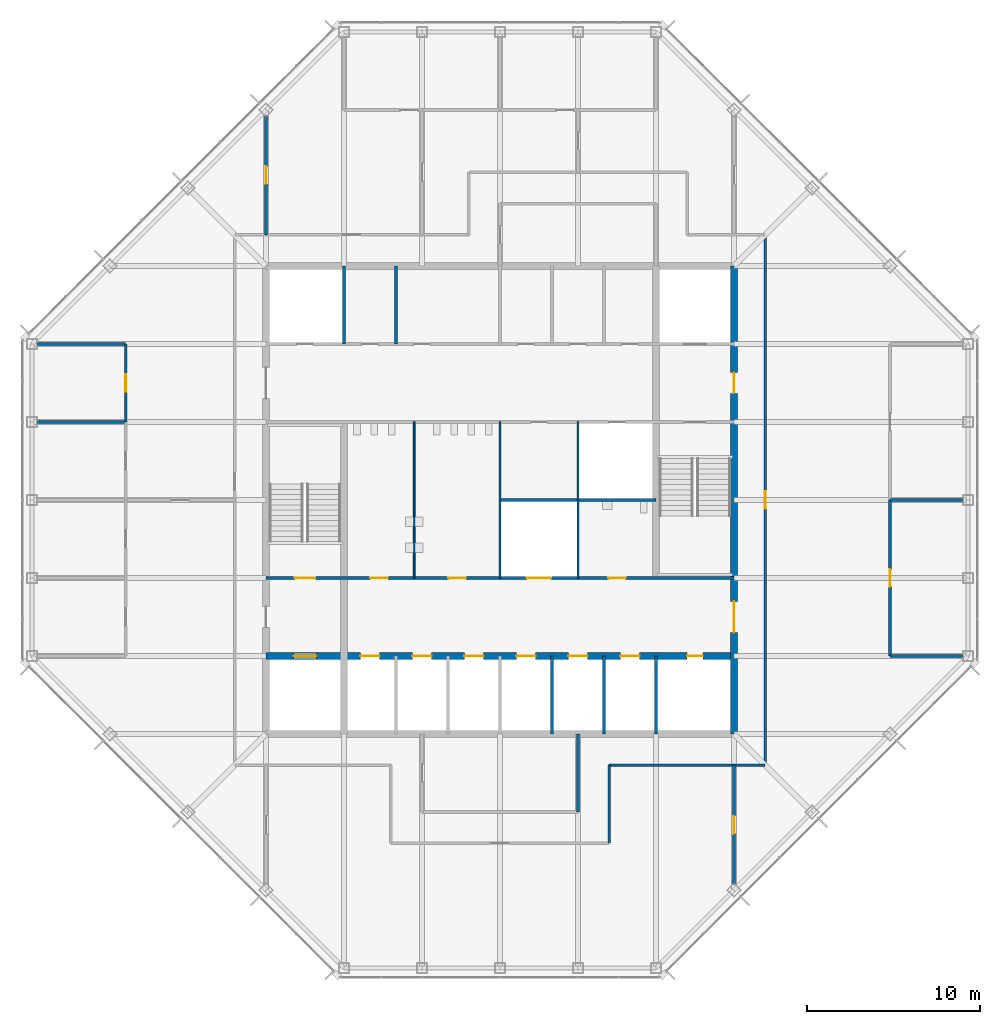
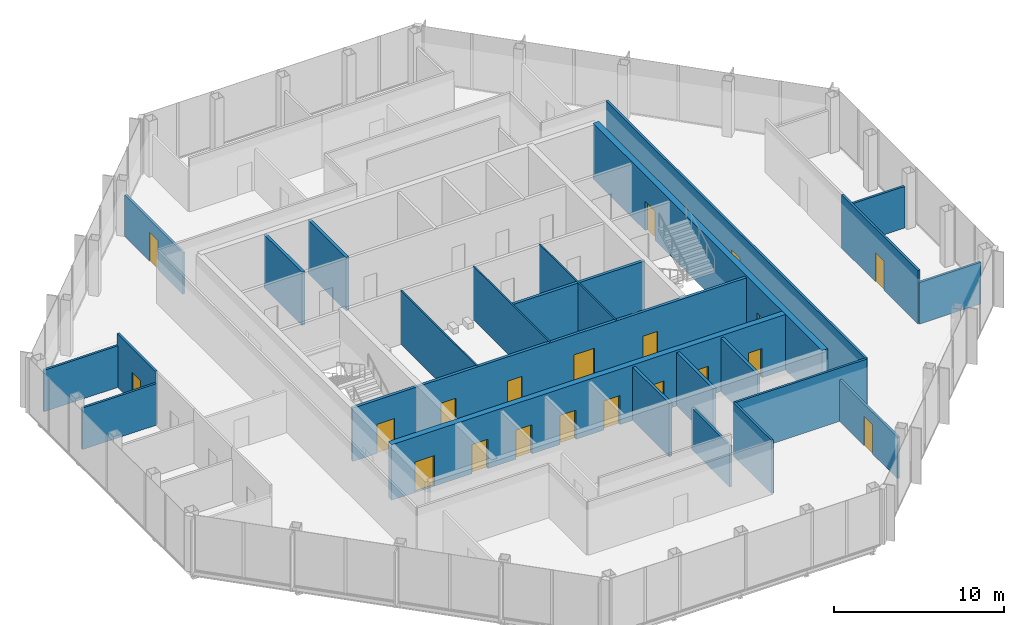
# One storey, part 10 of 14: 24 walls, 20 doors, 20 openings.
"""IFC4 building model written with IfcOpenShell, lengths in metres."""

from ifc_helpers import new_model, si_unit, direction, frame, frame_2d, origin, place, context, subcontext, project, spatial, rectangle, extrude, material, layer, layer_set, type_object, element, fill, save


model = new_model("IFC4")

# Units and contexts
model_context = context("Model", 3, precision=1e-05, world=origin(), true_north=direction((0.0, 1.0)))
body_context = subcontext(model_context, "Body", "Model", "MODEL_VIEW")
ifc_project = project(units=[si_unit("LENGTHUNIT", "METRE"), si_unit("AREAUNIT", "SQUARE_METRE"), si_unit("VOLUMEUNIT", "CUBIC_METRE"), si_unit("PLANEANGLEUNIT", "RADIAN"), si_unit("MASSUNIT", "GRAM", prefix="KILO")], contexts=[model_context])

# Site, building, storey
site_placement = place(None, origin())
site = spatial("IfcSite", under=ifc_project, at=site_placement, CompositionType="ELEMENT")
building_placement = place(site_placement, origin())
building = spatial("IfcBuilding", under=site, at=building_placement, Name="Corais Broadcast Tower", CompositionType="ELEMENT")
storey_placement = place(building_placement, frame((0.0, 0.0, 266.60009765625)))
storey = spatial("IfcBuildingStorey", under=building, at=storey_placement, Name="L62", CompositionType="ELEMENT", Elevation=266.60009765625)

# Walls
ifc_material_1 = material(Name="Concrete blockwork class A, grouted, two-hour", Category="masonry")
ifc_layer_1 = layer(ifc_material_1, 0.199951171875)
ifc_layer_set_1 = layer_set([ifc_layer_1], Name="Concrete blockwork class A, grouted, two-hour")
wall_type_1 = type_object("IfcWallType", Name="Core lobby wall 200", PredefinedType="SOLIDWALL", material=ifc_layer_set_1)
for number, where, z_axis, x_axis, name in (
    (1, (18.0, 36.0, 0.0), (0.0, 0.0, 1.0), (0.0, 1.0, 0.0), "CL3 core shaft wall X18B L62"),
    (2, (36.0, 13.5, 0.0), (0.0, 0.0, 1.0), (0.0, 1.0, 0.0), "CL3 core shaft wall X36A L62"),
):
    element("IfcWall", number, at=place(storey_placement, frame(where, z_axis=z_axis, x_axis=x_axis)), inside=storey, type_object=wall_type_1, Name=name, PredefinedType="SOLIDWALL", context=body_context, shape_type="SweptSolid", body=[
        extrude(rectangle(XDim=4.5, YDim=0.199951171875, at=frame_2d((2.25, 0.0))), origin(), (0.0, 0.0, 1.0), 3.83984375),
    ])

# Wall, openings, doors
wall_1_placement = place(storey_placement, frame((13.5, 22.5, 0.0), z_axis=(0.0, 0.0, 1.0), x_axis=(1.0, 0.0, 0.0)))
wall_1 = element("IfcWall", 3, at=wall_1_placement, inside=storey, type_object=wall_type_1, Name="CL3 core lobby wall Y225 L62", PredefinedType="SOLIDWALL", context=body_context, shape_type="SweptSolid", body=[
    extrude(rectangle(XDim=27.0, YDim=0.199951171875, at=frame_2d((13.5, 0.0))), origin(), (0.0, 0.0, 1.0), 3.83984375),
])
opening_1_placement = place(wall_1_placement, frame((1.64990234375, 0.0, 0.0)))
opening_1 = element("IfcOpeningElement", 4, at=opening_1_placement, cuts=wall_1, Name="Opening FD1", PredefinedType="OPENING", context=body_context, shape_type="SweptSolid", body=[
    extrude(rectangle(XDim=1.199951171875, YDim=2.10009765625, at=frame_2d((0.60009765625, 1.050048828125))), frame((0.0, 0.10986328125, 0.0), z_axis=(0.0, -1.0, 0.0), x_axis=(1.0, 0.0, 0.0)), (0.0, 0.0, 1.0), 0.219970703125),
])
opening_2_placement = place(wall_1_placement, frame((6.02490234375, 0.0, 0.0)))
opening_2 = element("IfcOpeningElement", 5, at=opening_2_placement, cuts=wall_1, Name="Opening WD1", PredefinedType="OPENING", context=body_context, shape_type="SweptSolid", body=[
    extrude(rectangle(XDim=1.0, YDim=2.10009765625, at=frame_2d((0.5, 1.050048828125))), frame((0.0, 0.10986328125, 0.0), z_axis=(0.0, -1.0, 0.0), x_axis=(1.0, 0.0, 0.0)), (0.0, 0.0, 1.0), 0.219970703125),
])
opening_3_placement = place(wall_1_placement, frame((10.52490234375, 0.0, 0.0)))
opening_3 = element("IfcOpeningElement", 6, at=opening_3_placement, cuts=wall_1, Name="Opening WD1", PredefinedType="OPENING", context=body_context, shape_type="SweptSolid", body=[
    extrude(rectangle(XDim=1.0, YDim=2.10009765625, at=frame_2d((0.5, 1.050048828125))), frame((0.0, 0.10986328125, 0.0), z_axis=(0.0, -1.0, 0.0), x_axis=(1.0, 0.0, 0.0)), (0.0, 0.0, 1.0), 0.219970703125),
])
opening_4_placement = place(wall_1_placement, frame((19.75, 0.0, 0.0)))
opening_4 = element("IfcOpeningElement", 7, at=opening_4_placement, cuts=wall_1, Name="Opening WD1", PredefinedType="OPENING", context=body_context, shape_type="SweptSolid", body=[
    extrude(rectangle(XDim=1.0, YDim=2.10009765625, at=frame_2d((0.5, 1.050048828125))), frame((0.0, 0.10986328125, 0.0), z_axis=(0.0, -1.0, 0.0), x_axis=(1.0, 0.0, 0.0)), (0.0, 0.0, 1.0), 0.219970703125),
])
opening_5_placement = place(wall_1_placement, frame((15.050048828125, 0.0, 0.0)))
opening_5 = element("IfcOpeningElement", 8, at=opening_5_placement, cuts=wall_1, Name="Opening LD3", PredefinedType="OPENING", context=body_context, shape_type="SweptSolid", body=[
    extrude(rectangle(XDim=1.39990234375, YDim=2.39990234375, at=frame_2d((0.699951171875, 1.199951171875))), frame((0.0, 0.10986328125, 0.0), z_axis=(0.0, -1.0, 0.0), x_axis=(1.0, 0.0, 0.0)), (0.0, 0.0, 1.0), 0.219970703125),
])
ifc_material_2 = material(Name="Steel fire door", Category="steel")
door_type_1 = type_object("IfcDoorType", Name="Fire door 1200x2100", OperationType="SINGLE_SWING_LEFT", PredefinedType="DOOR", material=ifc_material_2)
door_1_placement = place(opening_1_placement, origin())
door_1 = element("IfcDoor", 9, at=door_1_placement, inside=storey, type_object=door_type_1, Name="FD1 stair A door L62", OperationType="SINGLE_SWING_LEFT", OverallHeight=2.10009765625, OverallWidth=1.199951171875, PredefinedType="DOOR", context=body_context, shape_type="SweptSolid", body=[
    extrude(rectangle(XDim=1.199951171875, YDim=2.10009765625, at=frame_2d((0.60009765625, 1.050048828125))), frame((0.0, 0.02490234375, 0.0), z_axis=(0.0, -1.0, 0.0), x_axis=(1.0, 0.0, 0.0)), (0.0, 0.0, 1.0), 0.050048828125),
])
fill(opening_1, door_1)
ifc_material_3 = material(Name="Stainless steel lift door", Category="steel")
door_type_2 = type_object("IfcDoorType", Name="Service lift landing door 1400x2400", OperationType="SLIDING_TO_LEFT", PredefinedType="DOOR", material=ifc_material_3)
door_2_placement = place(opening_5_placement, origin())
door_2 = element("IfcDoor", 10, at=door_2_placement, inside=storey, type_object=door_type_2, Name="LD3 SL1 landing door L62", OperationType="SLIDING_TO_LEFT", OverallHeight=2.39990234375, OverallWidth=1.39990234375, PredefinedType="DOOR", context=body_context, shape_type="SweptSolid", body=[
    extrude(rectangle(XDim=1.39990234375, YDim=2.39990234375, at=frame_2d((0.699951171875, 1.199951171875))), frame((0.0, 0.02490234375, 0.0), z_axis=(0.0, -1.0, 0.0), x_axis=(1.0, 0.0, 0.0)), (0.0, 0.0, 1.0), 0.050048828125),
])
fill(opening_5, door_2)
ifc_material_4 = material(Name="Timber door", Category="wood")
door_type_3 = type_object("IfcDoorType", Name="Toilet door 1000x2100", OperationType="SINGLE_SWING_LEFT", PredefinedType="DOOR", material=ifc_material_4)
door_3_placement = place(opening_2_placement, origin())
door_3 = element("IfcDoor", 11, at=door_3_placement, inside=storey, type_object=door_type_3, Name="WD1 WC male door L62", OperationType="SINGLE_SWING_LEFT", OverallHeight=2.10009765625, OverallWidth=1.0, PredefinedType="DOOR", context=body_context, shape_type="SweptSolid", body=[
    extrude(rectangle(XDim=1.0, YDim=2.10009765625, at=frame_2d((0.5, 1.050048828125))), frame((0.0, 0.02490234375, 0.0), z_axis=(0.0, -1.0, 0.0), x_axis=(1.0, 0.0, 0.0)), (0.0, 0.0, 1.0), 0.050048828125),
])
fill(opening_2, door_3)
door_4_placement = place(opening_3_placement, origin())
door_4 = element("IfcDoor", 12, at=door_4_placement, inside=storey, type_object=door_type_3, Name="WD1 WC female door L62", OperationType="SINGLE_SWING_LEFT", OverallHeight=2.10009765625, OverallWidth=1.0, PredefinedType="DOOR", context=body_context, shape_type="SweptSolid", body=[
    extrude(rectangle(XDim=1.0, YDim=2.10009765625, at=frame_2d((0.5, 1.050048828125))), frame((0.0, 0.02490234375, 0.0), z_axis=(0.0, -1.0, 0.0), x_axis=(1.0, 0.0, 0.0)), (0.0, 0.0, 1.0), 0.050048828125),
])
fill(opening_3, door_4)
door_5_placement = place(opening_4_placement, origin())
door_5 = element("IfcDoor", 13, at=door_5_placement, inside=storey, type_object=door_type_3, Name="WD1 accessible WC door L62", OperationType="SINGLE_SWING_RIGHT", OverallHeight=2.10009765625, OverallWidth=1.0, PredefinedType="DOOR", context=body_context, shape_type="SweptSolid", body=[
    extrude(rectangle(XDim=1.0, YDim=2.10009765625, at=frame_2d((0.5, 1.050048828125))), frame((0.0, 0.02490234375, 0.0), z_axis=(0.0, -1.0, 0.0), x_axis=(1.0, 0.0, 0.0)), (0.0, 0.0, 1.0), 0.050048828125),
])
fill(opening_4, door_5)

ifc_material_5 = material(Name="Concrete C50/60", Category="concrete")
ifc_layer_2 = layer(ifc_material_5, 0.39990234375)
ifc_layer_set_2 = layer_set([ifc_layer_2], Name="Concrete C50/60")
wall_type_2 = type_object("IfcWallType", Name="Core wall 400", PredefinedType="SHEAR", material=ifc_layer_set_2)
wall_2_placement = place(storey_placement, frame((40.5, 13.5, 0.0), z_axis=(0.0, 0.0, 1.0), x_axis=(0.0, 1.0, 0.0)))
wall_2 = element("IfcWall", 14, at=wall_2_placement, inside=storey, type_object=wall_type_2, Name="CR400 core wall E L62", PredefinedType="SHEAR", context=body_context, shape_type="SweptSolid", body=[
    extrude(rectangle(XDim=27.0, YDim=0.39990234375, at=frame_2d((13.5, 0.0))), origin(), (0.0, 0.0, 1.0), 4.0),
])
opening_6_placement = place(wall_2_placement, frame((5.85009765625, 0.0, 0.0)))
opening_6 = element("IfcOpeningElement", 15, at=opening_6_placement, cuts=wall_2, Name="Opening FD2", PredefinedType="OPENING", context=body_context, shape_type="SweptSolid", body=[
    extrude(rectangle(XDim=1.800048828125, YDim=2.10009765625, at=frame_2d((0.89990234375, 1.050048828125))), frame((0.0, 0.2099609375, 0.0), z_axis=(0.0, -1.0, 0.0), x_axis=(1.0, 0.0, 0.0)), (0.0, 0.0, 1.0), 0.419921875),
])
opening_7_placement = place(wall_2_placement, frame((19.64990234375, 0.0, 0.0)))
opening_7 = element("IfcOpeningElement", 16, at=opening_7_placement, cuts=wall_2, Name="Opening FD1", PredefinedType="OPENING", context=body_context, shape_type="SweptSolid", body=[
    extrude(rectangle(XDim=1.199951171875, YDim=2.10009765625, at=frame_2d((0.60009765625, 1.050048828125))), frame((0.0, 0.2099609375, 0.0), z_axis=(0.0, -1.0, 0.0), x_axis=(1.0, 0.0, 0.0)), (0.0, 0.0, 1.0), 0.419921875),
])
door_6_placement = place(opening_7_placement, origin())
door_6 = element("IfcDoor", 17, at=door_6_placement, inside=storey, type_object=door_type_1, Name="FD1 fire lobby B door L62", OperationType="SINGLE_SWING_RIGHT", OverallHeight=2.10009765625, OverallWidth=1.199951171875, PredefinedType="DOOR", context=body_context, shape_type="SweptSolid", body=[
    extrude(rectangle(XDim=1.199951171875, YDim=2.10009765625, at=frame_2d((0.60009765625, 1.050048828125))), frame((0.0, 0.02490234375, 0.0), z_axis=(0.0, -1.0, 0.0), x_axis=(1.0, 0.0, 0.0)), (0.0, 0.0, 1.0), 0.050048828125),
])
fill(opening_7, door_6)
ifc_material_6 = material(Name="Steel fire door", Category="steel")
door_type_4 = type_object("IfcDoorType", Name="Fire door pair 1800x2100", OperationType="DOUBLE_DOOR_SINGLE_SWING", PredefinedType="DOOR", material=ifc_material_6)
door_7_placement = place(opening_6_placement, origin())
door_7 = element("IfcDoor", 18, at=door_7_placement, inside=storey, type_object=door_type_4, Name="FD2 lift lobby door L62", OperationType="SINGLE_SWING_LEFT", OverallHeight=2.10009765625, OverallWidth=1.800048828125, PredefinedType="DOOR", context=body_context, shape_type="SweptSolid", body=[
    extrude(rectangle(XDim=1.800048828125, YDim=2.10009765625, at=frame_2d((0.89990234375, 1.050048828125))), frame((0.0, 0.02490234375, 0.0), z_axis=(0.0, -1.0, 0.0), x_axis=(1.0, 0.0, 0.0)), (0.0, 0.0, 1.0), 0.050048828125),
])
fill(opening_6, door_7)

wall_3_placement = place(storey_placement, frame((13.5, 18.0, 0.0), z_axis=(0.0, 0.0, 1.0), x_axis=(1.0, 0.0, 0.0)))
wall_3 = element("IfcWall", 19, at=wall_3_placement, inside=storey, type_object=wall_type_2, Name="CR400 core wall Y18 L62", PredefinedType="SHEAR", context=body_context, shape_type="SweptSolid", body=[
    extrude(rectangle(XDim=27.0, YDim=0.39990234375, at=frame_2d((13.5, 0.0))), origin(), (0.0, 0.0, 1.0), 4.0),
])
opening_8_placement = place(wall_3_placement, frame((24.300048828125, 0.0, 0.0)))
opening_8 = element("IfcOpeningElement", 20, at=opening_8_placement, cuts=wall_3, Name="Opening RD1", PredefinedType="OPENING", context=body_context, shape_type="SweptSolid", body=[
    extrude(rectangle(XDim=0.89990234375, YDim=2.10009765625, at=frame_2d((0.449951171875, 1.050048828125))), frame((0.0, 0.2099609375, 0.0), z_axis=(0.0, -1.0, 0.0), x_axis=(1.0, 0.0, 0.0)), (0.0, 0.0, 1.0), 0.419921875),
])
opening_9_placement = place(wall_3_placement, frame((5.449951171875, 0.0, 0.0)))
opening_9 = element("IfcOpeningElement", 21, at=opening_9_placement, cuts=wall_3, Name="Opening LD1", PredefinedType="OPENING", context=body_context, shape_type="SweptSolid", body=[
    extrude(rectangle(XDim=1.10009765625, YDim=2.10009765625, at=frame_2d((0.550048828125, 1.050048828125))), frame((0.0, 0.2099609375, 0.0), z_axis=(0.0, -1.0, 0.0), x_axis=(1.0, 0.0, 0.0)), (0.0, 0.0, 1.0), 0.419921875),
])
opening_10_placement = place(wall_3_placement, frame((8.449951171875, 0.0, 0.0)))
opening_10 = element("IfcOpeningElement", 22, at=opening_10_placement, cuts=wall_3, Name="Opening LD1", PredefinedType="OPENING", context=body_context, shape_type="SweptSolid", body=[
    extrude(rectangle(XDim=1.10009765625, YDim=2.10009765625, at=frame_2d((0.550048828125, 1.050048828125))), frame((0.0, 0.2099609375, 0.0), z_axis=(0.0, -1.0, 0.0), x_axis=(1.0, 0.0, 0.0)), (0.0, 0.0, 1.0), 0.419921875),
])
opening_11_placement = place(wall_3_placement, frame((11.449951171875, 0.0, 0.0)))
opening_11 = element("IfcOpeningElement", 23, at=opening_11_placement, cuts=wall_3, Name="Opening LD1", PredefinedType="OPENING", context=body_context, shape_type="SweptSolid", body=[
    extrude(rectangle(XDim=1.10009765625, YDim=2.10009765625, at=frame_2d((0.550048828125, 1.050048828125))), frame((0.0, 0.2099609375, 0.0), z_axis=(0.0, -1.0, 0.0), x_axis=(1.0, 0.0, 0.0)), (0.0, 0.0, 1.0), 0.419921875),
])
opening_12_placement = place(wall_3_placement, frame((14.449951171875, 0.0, 0.0)))
opening_12 = element("IfcOpeningElement", 24, at=opening_12_placement, cuts=wall_3, Name="Opening LD1", PredefinedType="OPENING", context=body_context, shape_type="SweptSolid", body=[
    extrude(rectangle(XDim=1.10009765625, YDim=2.10009765625, at=frame_2d((0.550048828125, 1.050048828125))), frame((0.0, 0.2099609375, 0.0), z_axis=(0.0, -1.0, 0.0), x_axis=(1.0, 0.0, 0.0)), (0.0, 0.0, 1.0), 0.419921875),
])
opening_13_placement = place(wall_3_placement, frame((17.449951171875, 0.0, 0.0)))
opening_13 = element("IfcOpeningElement", 25, at=opening_13_placement, cuts=wall_3, Name="Opening LD1", PredefinedType="OPENING", context=body_context, shape_type="SweptSolid", body=[
    extrude(rectangle(XDim=1.10009765625, YDim=2.10009765625, at=frame_2d((0.550048828125, 1.050048828125))), frame((0.0, 0.2099609375, 0.0), z_axis=(0.0, -1.0, 0.0), x_axis=(1.0, 0.0, 0.0)), (0.0, 0.0, 1.0), 0.419921875),
])
opening_14_placement = place(wall_3_placement, frame((20.449951171875, 0.0, 0.0)))
opening_14 = element("IfcOpeningElement", 26, at=opening_14_placement, cuts=wall_3, Name="Opening LD1", PredefinedType="OPENING", context=body_context, shape_type="SweptSolid", body=[
    extrude(rectangle(XDim=1.10009765625, YDim=2.10009765625, at=frame_2d((0.550048828125, 1.050048828125))), frame((0.0, 0.2099609375, 0.0), z_axis=(0.0, -1.0, 0.0), x_axis=(1.0, 0.0, 0.0)), (0.0, 0.0, 1.0), 0.419921875),
])
opening_15_placement = place(wall_3_placement, frame((1.60009765625, 0.0, 0.0)))
opening_15 = element("IfcOpeningElement", 27, at=opening_15_placement, cuts=wall_3, Name="Opening LD2", PredefinedType="OPENING", context=body_context, shape_type="SweptSolid", body=[
    extrude(rectangle(XDim=1.300048828125, YDim=2.199951171875, at=frame_2d((0.64990234375, 1.10009765625))), frame((0.0, 0.2099609375, 0.0), z_axis=(0.0, -1.0, 0.0), x_axis=(1.0, 0.0, 0.0)), (0.0, 0.0, 1.0), 0.419921875),
])
ifc_material_7 = material(Name="Stainless steel lift door", Category="steel")
door_type_5 = type_object("IfcDoorType", Name="Lift landing door 1100x2100", OperationType="SLIDING_TO_LEFT", PredefinedType="DOOR", material=ifc_material_7)
door_8_placement = place(opening_9_placement, origin())
door_8 = element("IfcDoor", 28, at=door_8_placement, inside=storey, type_object=door_type_5, Name="LD1 PH1 landing door L62", OperationType="SLIDING_TO_LEFT", OverallHeight=2.10009765625, OverallWidth=1.10009765625, PredefinedType="DOOR", context=body_context, shape_type="SweptSolid", body=[
    extrude(rectangle(XDim=1.10009765625, YDim=2.10009765625, at=frame_2d((0.550048828125, 1.050048828125))), frame((0.0, 0.02490234375, 0.0), z_axis=(0.0, -1.0, 0.0), x_axis=(1.0, 0.0, 0.0)), (0.0, 0.0, 1.0), 0.050048828125),
])
fill(opening_9, door_8)
door_9_placement = place(opening_10_placement, origin())
door_9 = element("IfcDoor", 29, at=door_9_placement, inside=storey, type_object=door_type_5, Name="LD1 PH2 landing door L62", OperationType="SLIDING_TO_LEFT", OverallHeight=2.10009765625, OverallWidth=1.10009765625, PredefinedType="DOOR", context=body_context, shape_type="SweptSolid", body=[
    extrude(rectangle(XDim=1.10009765625, YDim=2.10009765625, at=frame_2d((0.550048828125, 1.050048828125))), frame((0.0, 0.02490234375, 0.0), z_axis=(0.0, -1.0, 0.0), x_axis=(1.0, 0.0, 0.0)), (0.0, 0.0, 1.0), 0.050048828125),
])
fill(opening_10, door_9)
door_10_placement = place(opening_11_placement, origin())
door_10 = element("IfcDoor", 30, at=door_10_placement, inside=storey, type_object=door_type_5, Name="LD1 PH3 landing door L62", OperationType="SLIDING_TO_LEFT", OverallHeight=2.10009765625, OverallWidth=1.10009765625, PredefinedType="DOOR", context=body_context, shape_type="SweptSolid", body=[
    extrude(rectangle(XDim=1.10009765625, YDim=2.10009765625, at=frame_2d((0.550048828125, 1.050048828125))), frame((0.0, 0.02490234375, 0.0), z_axis=(0.0, -1.0, 0.0), x_axis=(1.0, 0.0, 0.0)), (0.0, 0.0, 1.0), 0.050048828125),
])
fill(opening_11, door_10)
door_11_placement = place(opening_12_placement, origin())
door_11 = element("IfcDoor", 31, at=door_11_placement, inside=storey, type_object=door_type_5, Name="LD1 PH4 landing door L62", OperationType="SLIDING_TO_LEFT", OverallHeight=2.10009765625, OverallWidth=1.10009765625, PredefinedType="DOOR", context=body_context, shape_type="SweptSolid", body=[
    extrude(rectangle(XDim=1.10009765625, YDim=2.10009765625, at=frame_2d((0.550048828125, 1.050048828125))), frame((0.0, 0.02490234375, 0.0), z_axis=(0.0, -1.0, 0.0), x_axis=(1.0, 0.0, 0.0)), (0.0, 0.0, 1.0), 0.050048828125),
])
fill(opening_12, door_11)
door_12_placement = place(opening_13_placement, origin())
door_12 = element("IfcDoor", 32, at=door_12_placement, inside=storey, type_object=door_type_5, Name="LD1 PH5 landing door L62", OperationType="SLIDING_TO_LEFT", OverallHeight=2.10009765625, OverallWidth=1.10009765625, PredefinedType="DOOR", context=body_context, shape_type="SweptSolid", body=[
    extrude(rectangle(XDim=1.10009765625, YDim=2.10009765625, at=frame_2d((0.550048828125, 1.050048828125))), frame((0.0, 0.02490234375, 0.0), z_axis=(0.0, -1.0, 0.0), x_axis=(1.0, 0.0, 0.0)), (0.0, 0.0, 1.0), 0.050048828125),
])
fill(opening_13, door_12)
door_13_placement = place(opening_14_placement, origin())
door_13 = element("IfcDoor", 33, at=door_13_placement, inside=storey, type_object=door_type_5, Name="LD1 PH6 landing door L62", OperationType="SLIDING_TO_LEFT", OverallHeight=2.10009765625, OverallWidth=1.10009765625, PredefinedType="DOOR", context=body_context, shape_type="SweptSolid", body=[
    extrude(rectangle(XDim=1.10009765625, YDim=2.10009765625, at=frame_2d((0.550048828125, 1.050048828125))), frame((0.0, 0.02490234375, 0.0), z_axis=(0.0, -1.0, 0.0), x_axis=(1.0, 0.0, 0.0)), (0.0, 0.0, 1.0), 0.050048828125),
])
fill(opening_14, door_13)
ifc_material_8 = material(Name="Stainless steel lift door", Category="steel")
door_type_6 = type_object("IfcDoorType", Name="Lift landing door 1300x2200", OperationType="SLIDING_TO_LEFT", PredefinedType="DOOR", material=ifc_material_8)
door_14_placement = place(opening_15_placement, origin())
door_14 = element("IfcDoor", 34, at=door_14_placement, inside=storey, type_object=door_type_6, Name="LD2 FL1 landing door L62", OperationType="SLIDING_TO_LEFT", OverallHeight=2.199951171875, OverallWidth=1.300048828125, PredefinedType="DOOR", context=body_context, shape_type="SweptSolid", body=[
    extrude(rectangle(XDim=1.300048828125, YDim=2.199951171875, at=frame_2d((0.64990234375, 1.10009765625))), frame((0.0, 0.02490234375, 0.0), z_axis=(0.0, -1.0, 0.0), x_axis=(1.0, 0.0, 0.0)), (0.0, 0.0, 1.0), 0.050048828125),
])
fill(opening_15, door_14)
ifc_material_9 = material(Name="Steel fire door", Category="steel")
door_type_7 = type_object("IfcDoorType", Name="Riser door 900x2100", OperationType="SINGLE_SWING_LEFT", PredefinedType="DOOR", material=ifc_material_9)
door_15_placement = place(opening_8_placement, origin())
door_15 = element("IfcDoor", 35, at=door_15_placement, inside=storey, type_object=door_type_7, Name="RD1 riser door L62", OperationType="SINGLE_SWING_RIGHT", OverallHeight=2.10009765625, OverallWidth=0.89990234375, PredefinedType="DOOR", context=body_context, shape_type="SweptSolid", body=[
    extrude(rectangle(XDim=0.89990234375, YDim=2.10009765625, at=frame_2d((0.449951171875, 1.050048828125))), frame((0.0, 0.02490234375, 0.0), z_axis=(0.0, -1.0, 0.0), x_axis=(1.0, 0.0, 0.0)), (0.0, 0.0, 1.0), 0.050048828125),
])
fill(opening_8, door_15)

# Wall, opening, door
ifc_material_10 = material(Name="Gypsum board on steel studs", Category="steel")
ifc_layer_3 = layer(ifc_material_10, 0.14990234375)
ifc_layer_set_3 = layer_set([ifc_layer_3], Name="Gypsum board on steel studs")
wall_type_3 = type_object("IfcWallType", Name="Partition 150", PredefinedType="PARTITIONING", material=ifc_layer_set_3)
wall_4_placement = place(storey_placement, frame((42.300048828125, 11.699951171875, 0.0), z_axis=(0.0, 0.0, 1.0), x_axis=(0.0, 1.0, 0.0)))
wall_4 = element("IfcWall", 36, at=wall_4_placement, inside=storey, type_object=wall_type_3, Name="IW3 corridor wall L62", PredefinedType="PARTITIONING", context=body_context, shape_type="SweptSolid", body=[
    extrude(rectangle(XDim=30.60009765625, YDim=0.14990234375, at=frame_2d((15.300048828125, 0.0))), origin(), (0.0, 0.0, 1.0), 3.83984375),
])
opening_16_placement = place(wall_4_placement, frame((14.800048828125, 0.0, 0.0)))
opening_16 = element("IfcOpeningElement", 37, at=opening_16_placement, cuts=wall_4, Name="Opening D1", PredefinedType="OPENING", context=body_context, shape_type="SweptSolid", body=[
    extrude(rectangle(XDim=1.0, YDim=2.10009765625, at=frame_2d((0.5, 1.050048828125))), frame((0.0, 0.0849609375, 0.0), z_axis=(0.0, -1.0, 0.0), x_axis=(1.0, 0.0, 0.0)), (0.0, 0.0, 1.0), 0.169921875),
])
ifc_material_11 = material(Name="Timber door", Category="wood")
door_type_8 = type_object("IfcDoorType", Name="Single door 1000x2100", OperationType="SINGLE_SWING_LEFT", PredefinedType="DOOR", material=ifc_material_11)
door_16_placement = place(opening_16_placement, origin())
door_16 = element("IfcDoor", 38, at=door_16_placement, inside=storey, type_object=door_type_8, Name="D1 workplace door L62", OperationType="SINGLE_SWING_LEFT", OverallHeight=2.10009765625, OverallWidth=1.0, PredefinedType="DOOR", context=body_context, shape_type="SweptSolid", body=[
    extrude(rectangle(XDim=1.0, YDim=2.10009765625, at=frame_2d((0.5, 1.050048828125))), frame((0.0, 0.02490234375, 0.0), z_axis=(0.0, -1.0, 0.0), x_axis=(1.0, 0.0, 0.0)), (0.0, 0.0, 1.0), 0.050048828125),
])
fill(opening_16, door_16)

# Walls
wall_5_placement = place(storey_placement, frame((33.300048828125, 11.699951171875, 0.0), z_axis=(0.0, 0.0, 1.0), x_axis=(1.0, 0.0, 0.0)))
element("IfcWall", 39, at=wall_5_placement, inside=storey, type_object=wall_type_3, Name="IW3 corridor wall L62", PredefinedType="PARTITIONING", context=body_context, shape_type="SweptSolid", body=[
    extrude(rectangle(XDim=9.0, YDim=0.14990234375, at=frame_2d((4.5, 0.0))), origin(), (0.0, 0.0, 1.0), 3.83984375),
])
wall_6_placement = place(storey_placement, frame((33.300048828125, 7.199951171875, 0.0), z_axis=(0.0, 0.0, 1.0), x_axis=(0.0, 1.0, 0.0)))
element("IfcWall", 40, at=wall_6_placement, inside=storey, type_object=wall_type_3, Name="IW3 corridor wall L62", PredefinedType="PARTITIONING", context=body_context, shape_type="SweptSolid", body=[
    extrude(rectangle(XDim=4.5, YDim=0.14990234375, at=frame_2d((2.25, 0.0))), origin(), (0.0, 0.0, 1.0), 3.83984375),
])
for number, where, z_axis, x_axis, name in (
    (41, (49.5, 18.0, 0.0), (0.0, 0.0, 1.0), (1.0, 0.0, 0.0), "IW3 partition L62"),
    (42, (53.68994140625, 27.0, 0.0), (0.0, 0.0, 1.0), (-1.0, 0.0, 0.0), "IW3 partition L62"),
):
    element("IfcWall", number, at=place(storey_placement, frame(where, z_axis=z_axis, x_axis=x_axis)), inside=storey, type_object=wall_type_3, Name=name, PredefinedType="PARTITIONING", context=body_context, shape_type="SweptSolid", body=[
        extrude(rectangle(XDim=4.18994140625, YDim=0.14990234375, at=frame_2d((2.094970703125, 0.0))), origin(), (0.0, 0.0, 1.0), 2.989013671875),
    ])

# Wall, opening, door
wall_7_placement = place(storey_placement, frame((49.5, 27.0, 0.0), z_axis=(0.0, 0.0, 1.0), x_axis=(0.0, -1.0, 0.0)))
wall_7 = element("IfcWall", 43, at=wall_7_placement, inside=storey, type_object=wall_type_3, Name="IW3 partition L62", PredefinedType="PARTITIONING", context=body_context, shape_type="SweptSolid", body=[
    extrude(rectangle(XDim=9.0, YDim=0.14990234375, at=frame_2d((4.5, 0.0))), origin(), (0.0, 0.0, 1.0), 3.83984375),
])
opening_17_placement = place(wall_7_placement, frame((4.0, 0.0, 0.0)))
opening_17 = element("IfcOpeningElement", 44, at=opening_17_placement, cuts=wall_7, Name="Opening D1", PredefinedType="OPENING", context=body_context, shape_type="SweptSolid", body=[
    extrude(rectangle(XDim=1.0, YDim=2.10009765625, at=frame_2d((0.5, 1.050048828125))), frame((0.0, 0.0849609375, 0.0), z_axis=(0.0, -1.0, 0.0), x_axis=(1.0, 0.0, 0.0)), (0.0, 0.0, 1.0), 0.169921875),
])
door_17_placement = place(opening_17_placement, origin())
door_17 = element("IfcDoor", 45, at=door_17_placement, inside=storey, type_object=door_type_8, Name="D1 Client meeting room door", OperationType="SINGLE_SWING_LEFT", OverallHeight=2.10009765625, OverallWidth=1.0, PredefinedType="DOOR", context=body_context, shape_type="SweptSolid", body=[
    extrude(rectangle(XDim=1.0, YDim=2.10009765625, at=frame_2d((0.5, 1.050048828125))), frame((0.0, 0.02490234375, 0.0), z_axis=(0.0, -1.0, 0.0), x_axis=(1.0, 0.0, 0.0)), (0.0, 0.0, 1.0), 0.050048828125),
])
fill(opening_17, door_17)

# Wall
wall_8_placement = place(storey_placement, frame((5.39990234375, 31.5, 0.0), z_axis=(0.0, 0.0, 1.0), x_axis=(-1.0, 0.0, 0.0)))
element("IfcWall", 46, at=wall_8_placement, inside=storey, type_object=wall_type_3, Name="IW3 partition L62", PredefinedType="PARTITIONING", context=body_context, shape_type="SweptSolid", body=[
    extrude(rectangle(XDim=5.08984375, YDim=0.14990234375, at=frame_2d((2.544921875, 0.0))), origin(), (0.0, 0.0, 1.0), 2.989013671875),
])

# Wall, opening, door
wall_9_placement = place(storey_placement, frame((5.39990234375, 31.5, 0.0), z_axis=(0.0, 0.0, 1.0), x_axis=(0.0, 1.0, 0.0)))
wall_9 = element("IfcWall", 47, at=wall_9_placement, inside=storey, type_object=wall_type_3, Name="IW3 partition L62", PredefinedType="PARTITIONING", context=body_context, shape_type="SweptSolid", body=[
    extrude(rectangle(XDim=4.5, YDim=0.14990234375, at=frame_2d((2.25, 0.0))), origin(), (0.0, 0.0, 1.0), 3.83984375),
])
opening_18_placement = place(wall_9_placement, frame((1.75, 0.0, 0.0)))
opening_18 = element("IfcOpeningElement", 48, at=opening_18_placement, cuts=wall_9, Name="Opening D1", PredefinedType="OPENING", context=body_context, shape_type="SweptSolid", body=[
    extrude(rectangle(XDim=1.0, YDim=2.10009765625, at=frame_2d((0.5, 1.050048828125))), frame((0.0, 0.0849609375, 0.0), z_axis=(0.0, -1.0, 0.0), x_axis=(1.0, 0.0, 0.0)), (0.0, 0.0, 1.0), 0.169921875),
])
door_18_placement = place(opening_18_placement, origin())
door_18 = element("IfcDoor", 49, at=door_18_placement, inside=storey, type_object=door_type_8, Name="D1 Office door", OperationType="SINGLE_SWING_LEFT", OverallHeight=2.10009765625, OverallWidth=1.0, PredefinedType="DOOR", context=body_context, shape_type="SweptSolid", body=[
    extrude(rectangle(XDim=1.0, YDim=2.10009765625, at=frame_2d((0.5, 1.050048828125))), frame((0.0, 0.02490234375, 0.0), z_axis=(0.0, -1.0, 0.0), x_axis=(1.0, 0.0, 0.0)), (0.0, 0.0, 1.0), 0.050048828125),
])
fill(opening_18, door_18)

# Walls
wall_10_placement = place(storey_placement, frame((5.39990234375, 36.0, 0.0), z_axis=(0.0, 0.0, 1.0), x_axis=(-1.0, 0.0, 0.0)))
element("IfcWall", 50, at=wall_10_placement, inside=storey, type_object=wall_type_3, Name="IW3 partition L62", PredefinedType="PARTITIONING", context=body_context, shape_type="SweptSolid", body=[
    extrude(rectangle(XDim=5.08984375, YDim=0.14990234375, at=frame_2d((2.544921875, 0.0))), origin(), (0.0, 0.0, 1.0), 2.989013671875),
])
wall_11_placement = place(storey_placement, frame((31.5, 9.0, 0.0), z_axis=(0.0, 0.0, 1.0), x_axis=(0.0, 1.0, 0.0)))
element("IfcWall", 51, at=wall_11_placement, inside=storey, type_object=wall_type_3, Name="IW3 partition L62", PredefinedType="PARTITIONING", context=body_context, shape_type="SweptSolid", body=[
    extrude(rectangle(XDim=4.5, YDim=0.14990234375, at=frame_2d((2.25, 0.0))), origin(), (0.0, 0.0, 1.0), 2.989013671875),
])

# Wall, opening, door
wall_12_placement = place(storey_placement, frame((13.5, 42.300048828125, 0.0), z_axis=(0.0, 0.0, 1.0), x_axis=(0.0, 1.0, 0.0)))
wall_12 = element("IfcWall", 52, at=wall_12_placement, inside=storey, type_object=wall_type_3, Name="IW3 partition L62", PredefinedType="PARTITIONING", context=body_context, shape_type="SweptSolid", body=[
    extrude(rectangle(XDim=6.8798828125, YDim=0.14990234375, at=frame_2d((3.43994140625, 0.0))), origin(), (0.0, 0.0, 1.0), 2.989013671875),
])
opening_19_placement = place(wall_12_placement, frame((2.93994140625, 0.0, 0.0)))
opening_19 = element("IfcOpeningElement", 53, at=opening_19_placement, cuts=wall_12, Name="Opening D1", PredefinedType="OPENING", context=body_context, shape_type="SweptSolid", body=[
    extrude(rectangle(XDim=1.0, YDim=2.10009765625, at=frame_2d((0.5, 1.050048828125))), frame((0.0, 0.0849609375, 0.0), z_axis=(0.0, -1.0, 0.0), x_axis=(1.0, 0.0, 0.0)), (0.0, 0.0, 1.0), 0.169921875),
])
door_19_placement = place(opening_19_placement, origin())
door_19 = element("IfcDoor", 54, at=door_19_placement, inside=storey, type_object=door_type_8, Name="D1 team room door L62", OperationType="SINGLE_SWING_LEFT", OverallHeight=2.10009765625, OverallWidth=1.0, PredefinedType="DOOR", context=body_context, shape_type="SweptSolid", body=[
    extrude(rectangle(XDim=1.0, YDim=2.10009765625, at=frame_2d((0.5, 1.050048828125))), frame((0.0, 0.02490234375, 0.0), z_axis=(0.0, -1.0, 0.0), x_axis=(1.0, 0.0, 0.0)), (0.0, 0.0, 1.0), 0.050048828125),
])
fill(opening_19, door_19)

wall_13_placement = place(storey_placement, frame((40.5, 4.820068359375, 0.0), z_axis=(0.0, 0.0, 1.0), x_axis=(0.0, 1.0, 0.0)))
wall_13 = element("IfcWall", 55, at=wall_13_placement, inside=storey, type_object=wall_type_3, Name="IW3 partition L62", PredefinedType="PARTITIONING", context=body_context, shape_type="SweptSolid", body=[
    extrude(rectangle(XDim=6.8798828125, YDim=0.14990234375, at=frame_2d((3.43994140625, 0.0))), origin(), (0.0, 0.0, 1.0), 2.989013671875),
])
opening_20_placement = place(wall_13_placement, frame((2.93994140625, 0.0, 0.0)))
opening_20 = element("IfcOpeningElement", 56, at=opening_20_placement, cuts=wall_13, Name="Opening D1", PredefinedType="OPENING", context=body_context, shape_type="SweptSolid", body=[
    extrude(rectangle(XDim=1.0, YDim=2.10009765625, at=frame_2d((0.5, 1.050048828125))), frame((0.0, 0.0849609375, 0.0), z_axis=(0.0, -1.0, 0.0), x_axis=(1.0, 0.0, 0.0)), (0.0, 0.0, 1.0), 0.169921875),
])
door_20_placement = place(opening_20_placement, origin())
door_20 = element("IfcDoor", 57, at=door_20_placement, inside=storey, type_object=door_type_8, Name="D1 team room door L62", OperationType="SINGLE_SWING_LEFT", OverallHeight=2.10009765625, OverallWidth=1.0, PredefinedType="DOOR", context=body_context, shape_type="SweptSolid", body=[
    extrude(rectangle(XDim=1.0, YDim=2.10009765625, at=frame_2d((0.5, 1.050048828125))), frame((0.0, 0.02490234375, 0.0), z_axis=(0.0, -1.0, 0.0), x_axis=(1.0, 0.0, 0.0)), (0.0, 0.0, 1.0), 0.050048828125),
])
fill(opening_20, door_20)

# Walls
ifc_material_12 = material(Name="Concrete blockwork class A, grouted, two-hour", Category="masonry")
ifc_layer_4 = layer(ifc_material_12, 0.199951171875)
ifc_layer_set_4 = layer_set([ifc_layer_4], Name="Concrete blockwork class A, grouted, two-hour")
wall_type_4 = type_object("IfcWallType", Name="Shaft wall 200", PredefinedType="PARTITIONING", material=ifc_layer_set_4)
for number, where, z_axis, x_axis, name in (
    (58, (21.0, 36.0, 0.0), (0.0, 0.0, 1.0), (0.0, 1.0, 0.0), "IW1 shaft wall L62"),
    (59, (30.0, 13.5, 0.0), (0.0, 0.0, 1.0), (0.0, 1.0, 0.0), "IW1 shaft wall L62"),
    (60, (33.0, 13.5, 0.0), (0.0, 0.0, 1.0), (0.0, 1.0, 0.0), "IW1 shaft wall L62"),
):
    element("IfcWall", number, at=place(storey_placement, frame(where, z_axis=z_axis, x_axis=x_axis)), inside=storey, type_object=wall_type_4, Name=name, PredefinedType="PARTITIONING", context=body_context, shape_type="SweptSolid", body=[
        extrude(rectangle(XDim=4.5, YDim=0.199951171875, at=frame_2d((2.25, 0.0))), origin(), (0.0, 0.0, 1.0), 3.83984375),
    ])
wall_14_placement = place(storey_placement, frame((27.0, 27.0, 0.0), z_axis=(0.0, 0.0, 1.0), x_axis=(1.0, 0.0, 0.0)))
element("IfcWall", 61, at=wall_14_placement, inside=storey, type_object=wall_type_4, Name="IW1 shaft wall L62", PredefinedType="PARTITIONING", context=body_context, shape_type="SweptSolid", body=[
    extrude(rectangle(XDim=9.0, YDim=0.199951171875, at=frame_2d((4.5, 0.0))), origin(), (0.0, 0.0, 1.0), 3.83984375),
])
ifc_material_13 = material(Name="Dense concrete blockwork class A, tiled both faces", Category="masonry")
ifc_layer_5 = layer(ifc_material_13, 0.10009765625)
ifc_layer_set_5 = layer_set([ifc_layer_5], Name="Dense concrete blockwork class A, tiled both faces")
wall_type_5 = type_object("IfcWallType", Name="Toilet wall 100", PredefinedType="PLUMBINGWALL", material=ifc_layer_set_5)
for number, where, z_axis, x_axis, name in (
    (62, (22.050048828125, 22.5, 0.0), (0.0, 0.0, 1.0), (0.0, 1.0, 0.0), "IW2 toilet wall L62"),
    (63, (27.0, 22.5, 0.0), (0.0, 0.0, 1.0), (0.0, 1.0, 0.0), "IW2 toilet wall L62"),
    (64, (31.5, 22.5, 0.0), (0.0, 0.0, 1.0), (0.0, 1.0, 0.0), "IW2 toilet wall L62"),
):
    element("IfcWall", number, at=place(storey_placement, frame(where, z_axis=z_axis, x_axis=x_axis)), inside=storey, type_object=wall_type_5, Name=name, PredefinedType="PLUMBINGWALL", context=body_context, shape_type="SweptSolid", body=[
        extrude(rectangle(XDim=9.0, YDim=0.10009765625, at=frame_2d((4.5, 0.0))), origin(), (0.0, 0.0, 1.0), 3.83984375),
    ])

save(model, "model.ifc")
